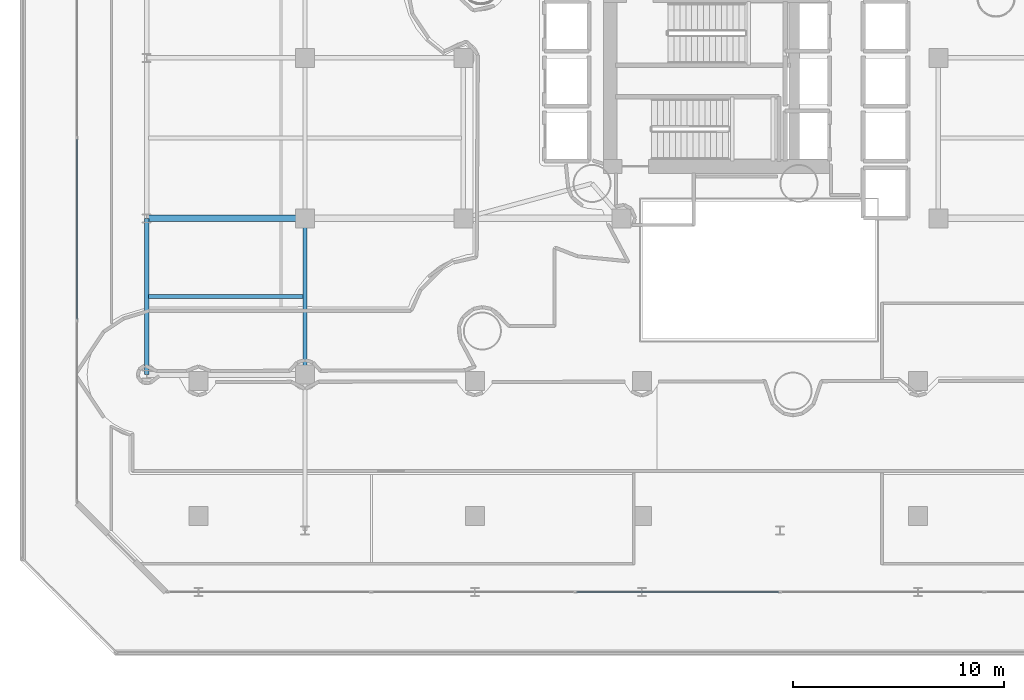
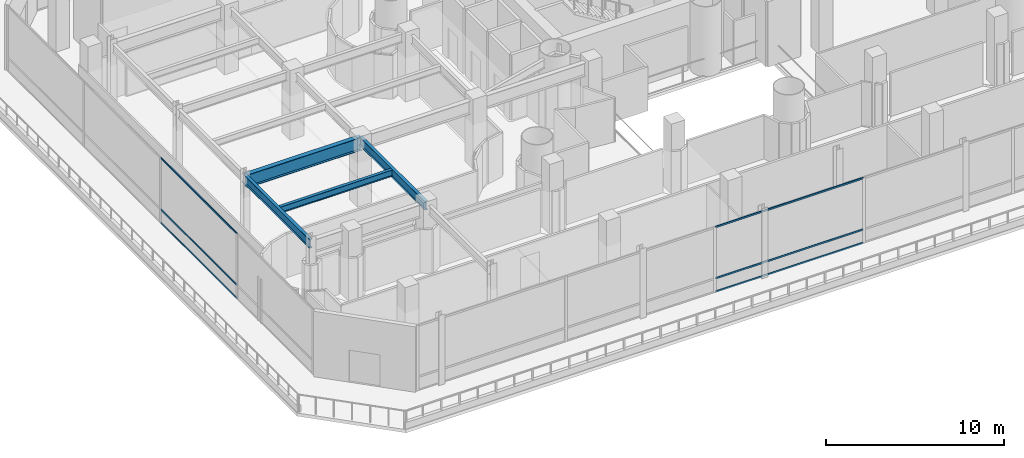
# One storey, part 8 of 39: 6 members, 4 beams, 2 elements without a shape of their own.
"""IFC4 building model written with IfcOpenShell, lengths in metres."""

from ifc_helpers import new_model, si_unit, direction, frame, origin, origin_2d, place, context, subcontext, project, spatial, hollow_rectangle, i_section, extrude, material, layer, layer_set, material_profile, profile_set, type_object, element, aggregate, save


model = new_model("IFC4")

# Units and contexts
model_context = context("Model", 3, precision=1e-05, world=origin(), true_north=direction((0.0, 1.0)))
body_context = subcontext(model_context, "Body", "Model", "MODEL_VIEW")
ifc_project = project(units=[si_unit("LENGTHUNIT", "METRE"), si_unit("AREAUNIT", "SQUARE_METRE"), si_unit("VOLUMEUNIT", "CUBIC_METRE"), si_unit("PLANEANGLEUNIT", "RADIAN"), si_unit("MASSUNIT", "GRAM", prefix="KILO")], contexts=[model_context])

# Site, building, storey
site_placement = place(None, origin())
site = spatial("IfcSite", under=ifc_project, at=site_placement, CompositionType="ELEMENT")
building_placement = place(site_placement, origin())
building = spatial("IfcBuilding", under=site, at=building_placement, Name="Qianvela Tower", CompositionType="ELEMENT")
storey_placement = place(building_placement, frame((0.0, 0.0, 15.800048828125)))
storey = spatial("IfcBuildingStorey", under=building, at=storey_placement, Name="L03", CompositionType="ELEMENT", Elevation=15.800048828125)

# Beams
ifc_material_1 = material(Name="Steel Q355B", Category="steel")
ifc_material_profile_1 = material_profile(ifc_material_1, i_section(OverallWidth=0.199951171875, OverallDepth=0.449951171875, WebThickness=0.009033203125, FlangeThickness=0.013916015625, at=origin_2d()), Name="HN450x200x9x14")
ifc_profile_set_1 = profile_set([ifc_material_profile_1], Name="Steel Q355B")
beam_type_1 = type_object("IfcBeamType", Name="BM-HN450-JOIST", PredefinedType="JOIST", material=ifc_profile_set_1)
beam_1_placement = place(storey_placement, frame((7.595947265625, 18.5, 4.27294921875), z_axis=(1.0, 0.0, 0.0), x_axis=(0.0, 1.0, 0.0)))
element("IfcBeam", 1, at=beam_1_placement, inside=storey, type_object=beam_type_1, Name="L03 Secondary Floor Joist 42", PredefinedType="JOIST", context=body_context, shape_type="SweptSolid", body=[
    extrude(i_section(OverallWidth=0.199951171875, OverallDepth=0.449951171875, WebThickness=0.009033203125, FlangeThickness=0.013916015625, at=origin_2d()), origin(), (0.0, 0.0, 1.0), 7.30810546875),
])
ifc_material_2 = material(Name="Steel Q355B", Category="steel")
ifc_material_profile_2 = material_profile(ifc_material_2, i_section(OverallWidth=0.199951171875, OverallDepth=0.60009765625, WebThickness=0.010986328125, FlangeThickness=0.01708984375, at=origin_2d()), Name="HN600x200x11x17")
ifc_profile_set_2 = profile_set([ifc_material_profile_2], Name="Steel Q355B")
beam_type_2 = type_object("IfcBeamType", Name="BM-HN600-GIRD", PredefinedType="BEAM", material=ifc_profile_set_2)
for number, where, z_axis, x_axis, name in (
    (2, (7.5, 14.800048828125, 4.197998046875), (0.0, 1.0, 0.0), (-1.0, 0.0, 0.0), "L03 North-South Grid Girder 16"),
    (3, (15.0, 14.800048828125, 4.197998046875), (0.0, 1.0, 0.0), (-1.0, 0.0, 0.0), "L03 North-South Grid Girder 20"),
):
    element("IfcBeam", number, at=place(storey_placement, frame(where, z_axis=z_axis, x_axis=x_axis)), inside=storey, type_object=beam_type_2, Name=name, PredefinedType="BEAM", context=body_context, shape_type="SweptSolid", body=[
        extrude(i_section(OverallWidth=0.199951171875, OverallDepth=0.60009765625, WebThickness=0.010986328125, FlangeThickness=0.01708984375, at=origin_2d()), origin(), (0.0, 0.0, 1.0), 7.39990234375),
    ])
ifc_material_3 = material(Name="Steel Q355B", Category="steel")
ifc_material_profile_3 = material_profile(ifc_material_3, i_section(OverallWidth=0.300048828125, OverallDepth=0.89990234375, WebThickness=0.01611328125, FlangeThickness=0.028076171875, at=origin_2d()), Name="HN900x300x16x28")
ifc_profile_set_3 = profile_set([ifc_material_profile_3], Name="Steel Q355B")
beam_type_3 = type_object("IfcBeamType", Name="BM-HN900-SPAND", PredefinedType="SPANDREL", material=ifc_profile_set_3)
beam_2_placement = place(storey_placement, frame((7.5, 22.199951171875, 4.0478515625), z_axis=(1.0, 0.0, 0.0), x_axis=(0.0, 1.0, 0.0)))
element("IfcBeam", 4, at=beam_2_placement, inside=storey, type_object=beam_type_3, Name="L03 East-West Grid Girder 3", PredefinedType="SPANDREL", context=body_context, shape_type="SweptSolid", body=[
    extrude(i_section(OverallWidth=0.300048828125, OverallDepth=0.89990234375, WebThickness=0.01611328125, FlangeThickness=0.028076171875, at=origin_2d()), origin(), (0.0, 0.0, 1.0), 7.5),
])

# Curtain wall, members
ifc_material_4 = material(Name="Anodised Architectural Aluminium and Low-E Glass", Category="aluminium")
ifc_layer = layer(ifc_material_4, 0.179931640625)
ifc_layer_set = layer_set([ifc_layer], Name="Anodised Architectural Aluminium and Low-E Glass")
curtain_wall_type = type_object("IfcCurtainWallType", Name="CW-COMMONS", PredefinedType="USERDEFINED", material=ifc_layer_set)
curtain_wall_1_placement = place(storey_placement, origin())
curtain_wall_1 = element("IfcCurtainWall", 5, at=curtain_wall_1_placement, inside=storey, type_object=curtain_wall_type, Name="L03 CW-COMMONS Curtain Wall 01", ObjectType="CURTAIN_WALL_SYSTEM", PredefinedType="USERDEFINED")
ifc_material_5 = material(Name="Anodised Architectural Aluminium 6063-T6", Category="aluminium")
ifc_material_profile_4 = material_profile(ifc_material_5, hollow_rectangle(XDim=0.06005859375, YDim=0.114990234375, WallThickness=0.00390625, at=origin_2d()), Name="ALU-TRAN-60x115")
ifc_profile_set_4 = profile_set([ifc_material_profile_4], Name="Anodised Architectural Aluminium 6063-T6")
member_type = type_object("IfcMemberType", Name="CW-COMMONS-TRAN", PredefinedType="USERDEFINED", material=ifc_profile_set_4)
member_1_placement = place(storey_placement, frame((27.8515625, 4.5, 0.030029296875), z_axis=(1.0, 0.0, 0.0), x_axis=(0.0, 1.0, 0.0)))
member_1 = element("IfcMember", 6, at=member_1_placement, type_object=member_type, Name="CW-2 transom 3.1", ObjectType="TRANSOM", PredefinedType="USERDEFINED", context=body_context, shape_type="SweptSolid", body=[
    extrude(hollow_rectangle(XDim=0.06005859375, YDim=0.114990234375, WallThickness=0.00390625, at=origin_2d()), origin(), (0.0, 0.0, 1.0), 9.613525390625),
])
member_2_placement = place(storey_placement, frame((27.8515625, 4.5, 0.949951171875), z_axis=(1.0, 0.0, 0.0), x_axis=(0.0, 1.0, 0.0)))
member_2 = element("IfcMember", 7, at=member_2_placement, type_object=member_type, Name="CW-2 transom 3.2", ObjectType="TRANSOM", PredefinedType="USERDEFINED", context=body_context, shape_type="SweptSolid", body=[
    extrude(hollow_rectangle(XDim=0.06005859375, YDim=0.114990234375, WallThickness=0.00390625, at=origin_2d()), origin(), (0.0, 0.0, 1.0), 9.613525390625),
])
member_3_placement = place(storey_placement, frame((27.8515625, 4.5, 4.469970703125), z_axis=(1.0, 0.0, 0.0), x_axis=(0.0, 1.0, 0.0)))
member_3 = element("IfcMember", 8, at=member_3_placement, type_object=member_type, Name="CW-2 transom 3.3", ObjectType="TRANSOM", PredefinedType="USERDEFINED", context=body_context, shape_type="SweptSolid", body=[
    extrude(hollow_rectangle(XDim=0.06005859375, YDim=0.114990234375, WallThickness=0.00390625, at=origin_2d()), origin(), (0.0, 0.0, 1.0), 9.613525390625),
])
aggregate(curtain_wall_1, [member_1, member_2, member_3])

curtain_wall_2_placement = place(storey_placement, origin())
curtain_wall_2 = element("IfcCurtainWall", 9, at=curtain_wall_2_placement, inside=storey, type_object=curtain_wall_type, Name="L03 CW-COMMONS Curtain Wall 07", ObjectType="CURTAIN_WALL_SYSTEM", PredefinedType="USERDEFINED")
member_4_placement = place(storey_placement, frame((4.199951171875, 25.965087890625, 0.030029296875), z_axis=(0.0, -1.0, 0.0), x_axis=(1.0, 0.0, 0.0)))
member_4 = element("IfcMember", 10, at=member_4_placement, type_object=member_type, Name="CW-2 transom 3.1", ObjectType="TRANSOM", PredefinedType="USERDEFINED", context=body_context, shape_type="SweptSolid", body=[
    extrude(hollow_rectangle(XDim=0.06005859375, YDim=0.114990234375, WallThickness=0.00390625, at=origin_2d()), origin(), (0.0, 0.0, 1.0), 8.55517578125),
])
member_5_placement = place(storey_placement, frame((4.199951171875, 25.965087890625, 0.949951171875), z_axis=(0.0, -1.0, 0.0), x_axis=(1.0, 0.0, 0.0)))
member_5 = element("IfcMember", 11, at=member_5_placement, type_object=member_type, Name="CW-2 transom 3.2", ObjectType="TRANSOM", PredefinedType="USERDEFINED", context=body_context, shape_type="SweptSolid", body=[
    extrude(hollow_rectangle(XDim=0.06005859375, YDim=0.114990234375, WallThickness=0.00390625, at=origin_2d()), origin(), (0.0, 0.0, 1.0), 8.55517578125),
])
member_6_placement = place(storey_placement, frame((4.199951171875, 25.965087890625, 4.469970703125), z_axis=(0.0, -1.0, 0.0), x_axis=(1.0, 0.0, 0.0)))
member_6 = element("IfcMember", 12, at=member_6_placement, type_object=member_type, Name="CW-2 transom 3.3", ObjectType="TRANSOM", PredefinedType="USERDEFINED", context=body_context, shape_type="SweptSolid", body=[
    extrude(hollow_rectangle(XDim=0.06005859375, YDim=0.114990234375, WallThickness=0.00390625, at=origin_2d()), origin(), (0.0, 0.0, 1.0), 8.55517578125),
])
aggregate(curtain_wall_2, [member_4, member_5, member_6])

save(model, "model.ifc")
